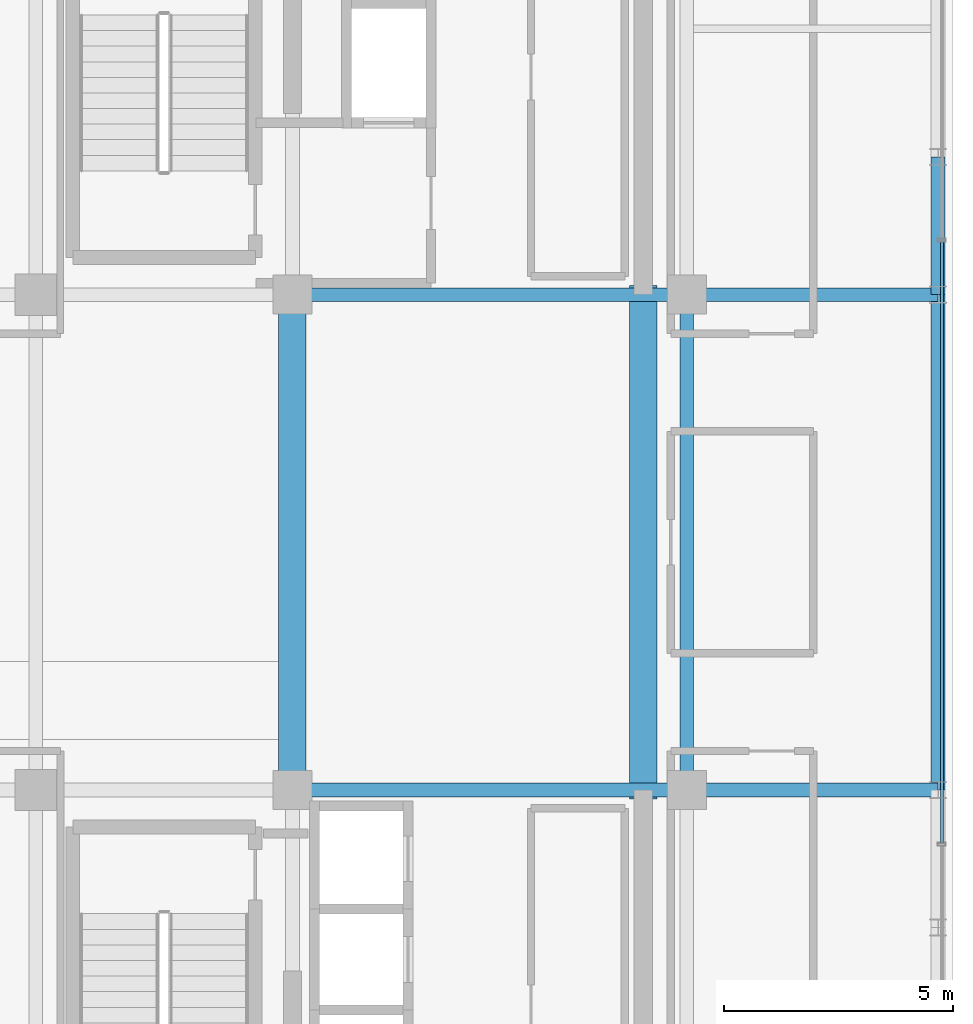
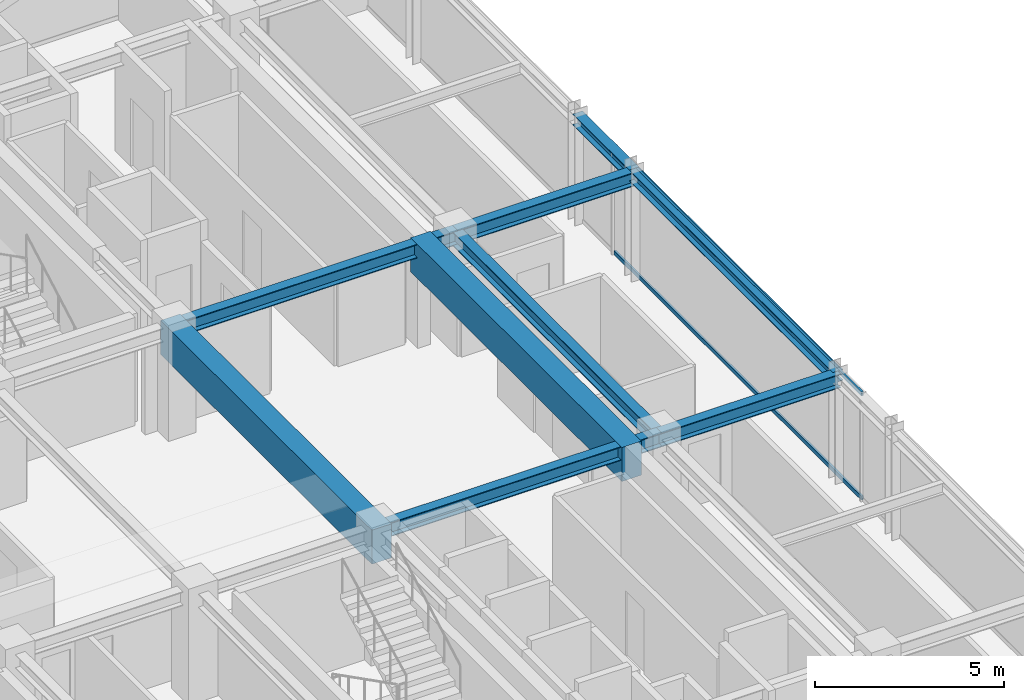
# One storey, part 15 of 36: 9 beams, 2 members, 1 element without a shape of its own.
"""IFC4 building model written with IfcOpenShell, lengths in metres."""

import ifcopenshell
import ifcopenshell.guid

model = None  # the IFC model being written
_history = None  # IfcOwnerHistory: only IFC2X3 demands one
_inside = {}  # id of a spatial element -> (the spatial element, [elements in it])
_under = {}  # id of a project, library or spatial element -> (it, [spatial elements below it])
_declared = {}  # id of a project -> (the project, [libraries it declares])
_typed = {}  # id of a type object -> (the type object, [elements of that type])
_made_of = {}  # id of a material, layer set ... -> (it, [elements and type objects made of it])


def new_model(schema):
    """Start an empty IFC model of exactly this schema.

    Asked for "IFC4X3", IfcOpenShell would pick the latest addendum, in which some entities
    have other attributes; the version numbers below select the first issue.
    IFC2X3 requires an IfcOwnerHistory on every rooted entity: one is made here for all.
    """
    global model, _history
    if schema == "IFC4X3":
        model = ifcopenshell.file(schema_version=(4, 3, 0, 0))
    else:
        model = ifcopenshell.file(schema=schema)
    _inside.clear()
    _under.clear()
    _declared.clear()
    _typed.clear()
    _made_of.clear()
    _history = None
    if model.schema == "IFC2X3":
        org = make("IfcOrganization", Name="unknown")
        user = make(
            "IfcPersonAndOrganization",
            ThePerson=make("IfcPerson", FamilyName="unknown"),
            TheOrganization=org,
        )
        app = make(
            "IfcApplication",
            ApplicationDeveloper=org,
            Version="unknown",
            ApplicationFullName="unknown",
            ApplicationIdentifier="unknown",
        )
        _history = make(
            "IfcOwnerHistory",
            OwningUser=user,
            OwningApplication=app,
            ChangeAction="ADDED",
            CreationDate=0,
        )
    return model


def make(cls, **values):
    """One entity of the class cls with the attributes given. An attribute that is None is left unset."""
    return model.create_entity(
        cls, **{name: value for name, value in values.items() if value is not None}
    )


def rooted(cls, **values):
    """An entity with a GlobalId (a new one), such as an element, a storey or a relation."""
    return make(cls, GlobalId=ifcopenshell.guid.new(), OwnerHistory=_history, **values)


def si_unit(unit_type, name, prefix=None):
    """IfcSIUnit, for example si_unit("LENGTHUNIT", "METRE", prefix="MILLI")."""
    return make("IfcSIUnit", UnitType=unit_type, Prefix=prefix, Name=name)


def assignment(units):
    """IfcUnitAssignment: the units of a project."""
    return None if units is None else make("IfcUnitAssignment", Units=units)


def point(xyz):
    """IfcCartesianPoint."""
    return None if xyz is None else make("IfcCartesianPoint", Coordinates=xyz)


def direction(xyz):
    """IfcDirection."""
    return None if xyz is None else make("IfcDirection", DirectionRatios=xyz)


def frame(location, z_axis=None, x_axis=None):
    """IfcAxis2Placement3D, a coordinate frame: its origin and axes. An axis left out is left unset."""
    return make(
        "IfcAxis2Placement3D",
        Location=point(location),
        Axis=direction(z_axis),
        RefDirection=direction(x_axis),
    )


def frame_2d(location, x_axis=None):
    """IfcAxis2Placement2D, a coordinate frame in the plane: its origin and x axis."""
    return make(
        "IfcAxis2Placement2D", Location=point(location), RefDirection=direction(x_axis)
    )


def origin():
    """The frame at (0, 0, 0) with its axes left unset."""
    return frame((0.0, 0.0, 0.0))


def origin_2d():
    """The frame at (0, 0) in the plane with its x axis left unset."""
    return frame_2d((0.0, 0.0))


def place(relative_to, where):
    """IfcLocalPlacement: puts the frame where relative to a parent placement (None: the world)."""
    return make(
        "IfcLocalPlacement", PlacementRelTo=relative_to, RelativePlacement=where
    )


def context(
    kind, dimensions, precision=None, world=None, true_north=None, identifier=None
):
    """IfcGeometricRepresentationContext, for example the 3D "Model" context."""
    return make(
        "IfcGeometricRepresentationContext",
        ContextIdentifier=identifier,
        ContextType=kind,
        CoordinateSpaceDimension=dimensions,
        Precision=precision,
        WorldCoordinateSystem=world,
        TrueNorth=true_north,
    )


def subcontext(parent, identifier, kind, view, scale=None):
    """IfcGeometricRepresentationSubContext, for example "Body" below "Model"."""
    return make(
        "IfcGeometricRepresentationSubContext",
        ContextIdentifier=identifier,
        ContextType=kind,
        ParentContext=parent,
        TargetScale=scale,
        TargetView=view,
    )


def project(units=None, contexts=None):
    """IfcProject with its units and contexts."""
    return rooted(
        "IfcProject",
        Name="project",
        RepresentationContexts=contexts,
        UnitsInContext=assignment(units),
    )


def spatial(cls, under=None, at=None, **own):
    """A site, building, storey or space (cls), placed at a placement, below another one or the project."""
    s = rooted(cls, ObjectPlacement=at, **own)
    if under is not None:
        _under.setdefault(under.id(), (under, []))[1].append(s)
    return s


def profile(cls, at=None, kind="AREA", **sizes):
    """A parametric profile (cls). Its sizes go by their IFC names, for example OverallWidth=200.0."""
    return make(cls, ProfileType=kind, Position=at, **sizes)


def rectangle(**sizes):
    """IfcRectangleProfileDef."""
    return profile("IfcRectangleProfileDef", **sizes)


def hollow_rectangle(**sizes):
    """IfcRectangleHollowProfileDef."""
    return profile("IfcRectangleHollowProfileDef", **sizes)


def i_section(**sizes):
    """IfcIShapeProfileDef."""
    return profile("IfcIShapeProfileDef", **sizes)


def extrude(swept, where, along, depth):
    """IfcExtrudedAreaSolid: the profile swept, set in the frame where, extruded along a direction by depth."""
    return make(
        "IfcExtrudedAreaSolid",
        SweptArea=swept,
        Position=where,
        ExtrudedDirection=direction(along),
        Depth=depth,
    )


def shape(context_of_items, identifier, shape_type, items):
    """IfcShapeRepresentation: the items that make up one representation, for example the "Body"."""
    return make(
        "IfcShapeRepresentation",
        ContextOfItems=context_of_items,
        RepresentationIdentifier=identifier,
        RepresentationType=shape_type,
        Items=items,
    )


def source(mapping_origin, context_of_items, identifier, shape_type, items):
    """IfcRepresentationMap: a shape defined once, which mapped items show again and again."""
    return make(
        "IfcRepresentationMap",
        MappingOrigin=mapping_origin,
        MappedRepresentation=shape(context_of_items, identifier, shape_type, items),
    )


def transform(
    local_origin,
    x_axis=None,
    y_axis=None,
    z_axis=None,
    scale=None,
    scale2=None,
    scale3=None,
    uniform=True,
):
    """IfcCartesianTransformationOperator3D, or its non-uniform kind. x_axis, y_axis, z_axis: its Axis1, 2, 3."""
    if uniform:
        return make(
            "IfcCartesianTransformationOperator3D",
            Axis1=direction(x_axis),
            Axis2=direction(y_axis),
            LocalOrigin=point(local_origin),
            Scale=scale,
            Axis3=direction(z_axis),
        )
    return make(
        "IfcCartesianTransformationOperator3DnonUniform",
        Axis1=direction(x_axis),
        Axis2=direction(y_axis),
        LocalOrigin=point(local_origin),
        Scale=scale,
        Axis3=direction(z_axis),
        Scale2=scale2,
        Scale3=scale3,
    )


def mapped(mapping_source, mapping_target):
    """IfcMappedItem: shows the shape of a source again, moved by a transform."""
    return make(
        "IfcMappedItem", MappingSource=mapping_source, MappingTarget=mapping_target
    )


def material(Name=None, Category=None):
    """IfcMaterial."""
    return make("IfcMaterial", Name=Name, Category=Category)


def material_profile(
    of_material, cross_section, Name=None, Category=None, Priority=None
):
    """IfcMaterialProfile: a cross section and its material."""
    return make(
        "IfcMaterialProfile",
        Name=Name,
        Material=of_material,
        Profile=cross_section,
        Priority=Priority,
        Category=Category,
    )


def profile_set(profiles, Name=None, composite=None):
    """IfcMaterialProfileSet."""
    return make(
        "IfcMaterialProfileSet",
        Name=Name,
        MaterialProfiles=profiles,
        CompositeProfile=composite,
    )


def made_of(thing, what):
    """Note that an element or type object is made of a material, layer set ...; save() writes the relation."""
    if what is not None:
        _made_of.setdefault(what.id(), (what, []))[1].append(thing)
    return thing


def type_object(cls, material=None, **own):
    """A type object (cls), such as IfcWallType, which elements share."""
    return made_of(rooted(cls, **own), material)


def element(
    cls,
    number,
    at=None,
    inside=None,
    cuts=None,
    type_object=None,
    material=None,
    context=None,
    identifier="Body",
    shape_type=None,
    held_by="IfcProductDefinitionShape",
    body=None,
    shapes=None,
    **own,
):
    """One element of the class cls, such as IfcWall. Its Tag is "e" and its number.

    at: its placement. inside: the storey or other place that contains it. cuts: it is an
    opening in that element (IfcRelVoidsElement). A single representation is given by context,
    identifier, shape_type and body (its items); several are given by shapes. held_by: the class
    of the entity that holds the representations. save() writes the other relations.
    """
    e = rooted(cls, Tag="e%d" % number, ObjectPlacement=at, **own)
    if body is not None:
        shapes = [shape(context, identifier, shape_type, body)]
    if shapes is not None:
        e.Representation = make(held_by, Representations=shapes)
    if inside is not None:
        _inside.setdefault(inside.id(), (inside, []))[1].append(e)
    if cuts is not None:
        rooted(
            "IfcRelVoidsElement", RelatingBuildingElement=cuts, RelatedOpeningElement=e
        )
    if type_object is not None:
        _typed.setdefault(type_object.id(), (type_object, []))[1].append(e)
    return made_of(e, material)


def aggregate(whole, parts):
    """IfcRelAggregates: a whole, such as a stair, and the parts it consists of."""
    return rooted("IfcRelAggregates", RelatingObject=whole, RelatedObjects=parts)


def save(model, path):
    """Write the relations noted so far, then the file.

    IfcRelAggregates (storeys below a building ...), IfcRelContainedInSpatialStructure (elements
    in a storey), IfcRelDefinesByType, IfcRelAssociatesMaterial and IfcRelDeclares: one each for
    every whole, place, type object, material and project.
    """
    for whole, parts in _under.values():
        aggregate(whole, parts)
    for where, things in _inside.values():
        rooted(
            "IfcRelContainedInSpatialStructure",
            RelatedElements=things,
            RelatingStructure=where,
        )
    for kind, things in _typed.values():
        rooted("IfcRelDefinesByType", RelatedObjects=things, RelatingType=kind)
    for what, things in _made_of.values():
        rooted("IfcRelAssociatesMaterial", RelatedObjects=things, RelatingMaterial=what)
    for by, libraries in _declared.values():
        rooted("IfcRelDeclares", RelatingContext=by, RelatedDefinitions=libraries)
    model.write(path)


model = new_model("IFC4")

# Units and contexts
model_context = context("Model", 3, precision=1e-05, world=origin(), true_north=direction((0.0, 1.0)))
body_context = subcontext(model_context, "Body", "Model", "MODEL_VIEW")
ifc_project = project(units=[si_unit("LENGTHUNIT", "METRE"), si_unit("AREAUNIT", "SQUARE_METRE"), si_unit("VOLUMEUNIT", "CUBIC_METRE"), si_unit("PLANEANGLEUNIT", "RADIAN"), si_unit("MASSUNIT", "GRAM", prefix="KILO")], contexts=[model_context])

# Site, building, storey
site_placement = place(None, origin())
site = spatial("IfcSite", under=ifc_project, at=site_placement, CompositionType="ELEMENT")
building_placement = place(site_placement, origin())
building = spatial("IfcBuilding", under=site, at=building_placement, Name="Nahalor Promenade Grand Hotel", CompositionType="ELEMENT")
storey_placement = place(building_placement, frame((0.0, 0.0, 319.550048828125)))
storey = spatial("IfcBuildingStorey", under=building, at=storey_placement, Name="L82", CompositionType="ELEMENT", Elevation=319.550048828125)

# Beams
ifc_material_1 = material(Name="Concrete B-60 (C50/60)", Category="concrete")
ifc_material_profile_1 = material_profile(ifc_material_1, rectangle(XDim=0.6, YDim=1.1, at=origin_2d()), Name="RC 600x1100")
ifc_profile_set_1 = profile_set([ifc_material_profile_1], Name="Concrete B-60 (C50/60)")
beam_type_1 = type_object("IfcBeamType", Name="Beam-Lintel-RC1100", PredefinedType="LINTEL", material=ifc_profile_set_1)
shared_shape_1 = source(origin(), body_context, "Body", "SweptSolid", [
    extrude(rectangle(XDim=0.6, YDim=1.1, at=origin_2d()), origin(), (0.0, 0.0, 1.0), 11.2001953125),
])
for number, where, z_axis, x_axis, name in (
    (1, (8.39990234375, -5.60009765625, 2.949951171875), (0.0, 1.0, 0.0), (-1.0, 0.0, 0.0), "BM-L82-LINT-W"),
    (2, (16.050048828125, -5.60009765625, 2.949951171875), (0.0, 1.0, 0.0), (-1.0, 0.0, 0.0), "BM-L82-LINT-E"),
):
    element("IfcBeam", number, at=place(storey_placement, frame(where, z_axis=z_axis, x_axis=x_axis)), inside=storey, type_object=beam_type_1, Name=name, PredefinedType="LINTEL", context=body_context, shape_type="MappedRepresentation", body=[
        mapped(shared_shape_1, transform((0.0, 0.0, 0.0), scale=1.0)),
    ])
ifc_material_2 = material(Name="Steel S355JR", Category="steel")
ifc_material_profile_2 = material_profile(ifc_material_2, i_section(OverallWidth=0.3, OverallDepth=0.45, WebThickness=0.014, FlangeThickness=0.026, at=origin_2d()), Name="HEB 450")
ifc_profile_set_2 = profile_set([ifc_material_profile_2], Name="Steel S355JR")
beam_type_2 = type_object("IfcBeamType", Name="Beam-Girder-HEB450", PredefinedType="BEAM", material=ifc_profile_set_2)
shared_shape_2 = source(origin(), body_context, "Body", "SweptSolid", [
    extrude(i_section(OverallWidth=0.3, OverallDepth=0.45, WebThickness=0.014, FlangeThickness=0.026, at=origin_2d()), origin(), (0.0, 0.0, 1.0), 8.60009765625),
])
for number, where, z_axis, x_axis, name in (
    (3, (8.39990234375, -5.39990234375, 3.27490234375), (1.0, 0.0, 0.0), (0.0, 1.0, 0.0), "BM-L82-GX-1-5"),
    (4, (8.39990234375, 5.39990234375, 3.27490234375), (1.0, 0.0, 0.0), (0.0, 1.0, 0.0), "BM-L82-GX-2-5"),
):
    element("IfcBeam", number, at=place(storey_placement, frame(where, z_axis=z_axis, x_axis=x_axis)), inside=storey, type_object=beam_type_2, Name=name, PredefinedType="BEAM", context=body_context, shape_type="MappedRepresentation", body=[
        mapped(shared_shape_2, transform((0.0, 0.0, 0.0), scale=1.0)),
    ])
shared_shape_3 = source(origin(), body_context, "Body", "SweptSolid", [
    extrude(i_section(OverallWidth=0.3, OverallDepth=0.45, WebThickness=0.014, FlangeThickness=0.026, at=origin_2d()), origin(), (0.0, 0.0, 1.0), 10.7998046875),
])
beam_1_placement = place(storey_placement, frame((17.0, -5.39990234375, 3.27490234375), z_axis=(0.0, 1.0, 0.0), x_axis=(-1.0, 0.0, 0.0)))
element("IfcBeam", 5, at=beam_1_placement, inside=storey, type_object=beam_type_2, Name="BM-L82-GY-5-2", PredefinedType="BEAM", context=body_context, shape_type="MappedRepresentation", body=[
    mapped(shared_shape_3, transform((0.0, 0.0, 0.0), scale=1.0)),
])
shared_shape_4 = source(origin(), body_context, "Body", "SweptSolid", [
    extrude(i_section(OverallWidth=0.3, OverallDepth=0.45, WebThickness=0.014, FlangeThickness=0.026, at=origin_2d()), origin(), (0.0, 0.0, 1.0), 5.47998046875),
])
for number, where, z_axis, x_axis, name in (
    (6, (17.0, -5.39990234375, 3.27490234375), (1.0, 0.0, 0.0), (0.0, 1.0, 0.0), "BM-L82-GX-1-6"),
    (7, (17.0, 5.39990234375, 3.27490234375), (1.0, 0.0, 0.0), (0.0, 1.0, 0.0), "BM-L82-GX-2-6"),
):
    element("IfcBeam", number, at=place(storey_placement, frame(where, z_axis=z_axis, x_axis=x_axis)), inside=storey, type_object=beam_type_2, Name=name, PredefinedType="BEAM", context=body_context, shape_type="MappedRepresentation", body=[
        mapped(shared_shape_4, transform((0.0, 0.0, 0.0), scale=1.0)),
    ])
ifc_material_profile_3 = material_profile(ifc_material_2, i_section(OverallWidth=0.3, OverallDepth=0.36, WebThickness=0.0125, FlangeThickness=0.0225, at=origin_2d()), Name="HEB 360")
ifc_profile_set_3 = profile_set([ifc_material_profile_3], Name="Steel S355JR")
beam_type_3 = type_object("IfcBeamType", Name="Beam-Spandrel-HEB360", PredefinedType="SPANDREL", material=ifc_profile_set_3)
shared_shape_5 = source(origin(), body_context, "Body", "SweptSolid", [
    extrude(i_section(OverallWidth=0.3, OverallDepth=0.36, WebThickness=0.0125, FlangeThickness=0.0225, at=origin_2d()), origin(), (0.0, 0.0, 1.0), 3.0),
])
beam_2_placement = place(storey_placement, frame((22.47998046875, 5.39990234375, 3.320068359375), z_axis=(0.0, 1.0, 0.0), x_axis=(-1.0, 0.0, 0.0)))
element("IfcBeam", 8, at=beam_2_placement, inside=storey, type_object=beam_type_3, Name="BM-L82-SP-E-3", PredefinedType="SPANDREL", context=body_context, shape_type="MappedRepresentation", body=[
    mapped(shared_shape_5, transform((0.0, 0.0, 0.0), scale=1.0)),
])
shared_shape_6 = source(origin(), body_context, "Body", "SweptSolid", [
    extrude(i_section(OverallWidth=0.3, OverallDepth=0.36, WebThickness=0.0125, FlangeThickness=0.0225, at=origin_2d()), origin(), (0.0, 0.0, 1.0), 10.7998046875),
])
beam_3_placement = place(storey_placement, frame((22.47998046875, -5.39990234375, 3.320068359375), z_axis=(0.0, 1.0, 0.0), x_axis=(-1.0, 0.0, 0.0)))
element("IfcBeam", 9, at=beam_3_placement, inside=storey, type_object=beam_type_3, Name="BM-L82-SP-E-2", PredefinedType="SPANDREL", context=body_context, shape_type="MappedRepresentation", body=[
    mapped(shared_shape_6, transform((0.0, 0.0, 0.0), scale=1.0)),
])

# Curtain wall, members
ifc_material_3 = material(Name="Anodised Bronze Aluminium EN AW-6063 T6", Category="aluminium")
curtain_wall_type = type_object("IfcCurtainWallType", Name="CW2 Typical Hotel Flush Bronze Unitised Curtain Wall", PredefinedType="USERDEFINED", material=ifc_material_3)
curtain_wall_placement = place(storey_placement, origin())
curtain_wall = element("IfcCurtainWall", 10, at=curtain_wall_placement, inside=storey, type_object=curtain_wall_type, Name="L82 Curtain Wall CW-L82-E-1", ObjectType="UNITISED_CURTAIN_WALL", PredefinedType="USERDEFINED")
ifc_material_profile_4 = material_profile(ifc_material_3, hollow_rectangle(XDim=0.065, YDim=0.13, WallThickness=0.004, at=origin_2d()), Name="CWT 65x130x4")
ifc_profile_set_4 = profile_set([ifc_material_profile_4], Name="Anodised Bronze Aluminium EN AW-6063 T6")
member_type = type_object("IfcMemberType", Name="CWT2 Typical Bronze Transom 65x130", PredefinedType="USERDEFINED", material=ifc_profile_set_4)
shared_shape_7 = source(origin(), body_context, "Body", "SweptSolid", [
    extrude(hollow_rectangle(XDim=0.065, YDim=0.13, WallThickness=0.004, at=origin_2d()), origin(), (0.0, 0.0, 1.0), 13.1083984375),
])
member_1_placement = place(storey_placement, frame((22.56005859375, -6.55419921875, 0.06494140625), z_axis=(0.0, 1.0, 0.0), x_axis=(-1.0, 0.0, 0.0)))
member_1 = element("IfcMember", 11, at=member_1_placement, type_object=member_type, Name="CW-L82-E-1 Transom 1-0", ObjectType="TRANSOM", PredefinedType="USERDEFINED", context=body_context, shape_type="MappedRepresentation", body=[
    mapped(shared_shape_7, transform((0.0, 0.0, 0.0), scale=1.0)),
])
member_2_placement = place(storey_placement, frame((22.56005859375, -6.55419921875, 3.43505859375), z_axis=(0.0, 1.0, 0.0), x_axis=(-1.0, 0.0, 0.0)))
member_2 = element("IfcMember", 12, at=member_2_placement, type_object=member_type, Name="CW-L82-E-1 Transom 1-1", ObjectType="TRANSOM", PredefinedType="USERDEFINED", context=body_context, shape_type="MappedRepresentation", body=[
    mapped(shared_shape_7, transform((0.0, 0.0, 0.0), scale=1.0)),
])
aggregate(curtain_wall, [member_1, member_2])

save(model, "model.ifc")
